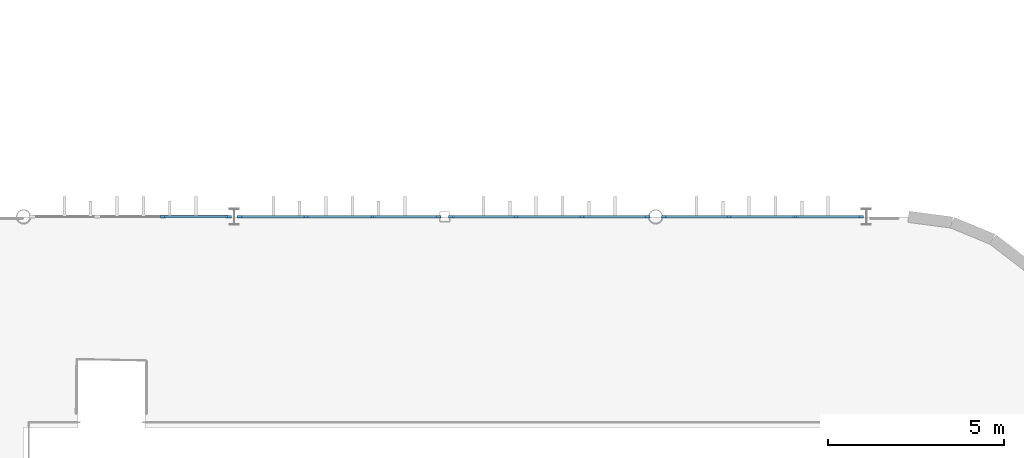
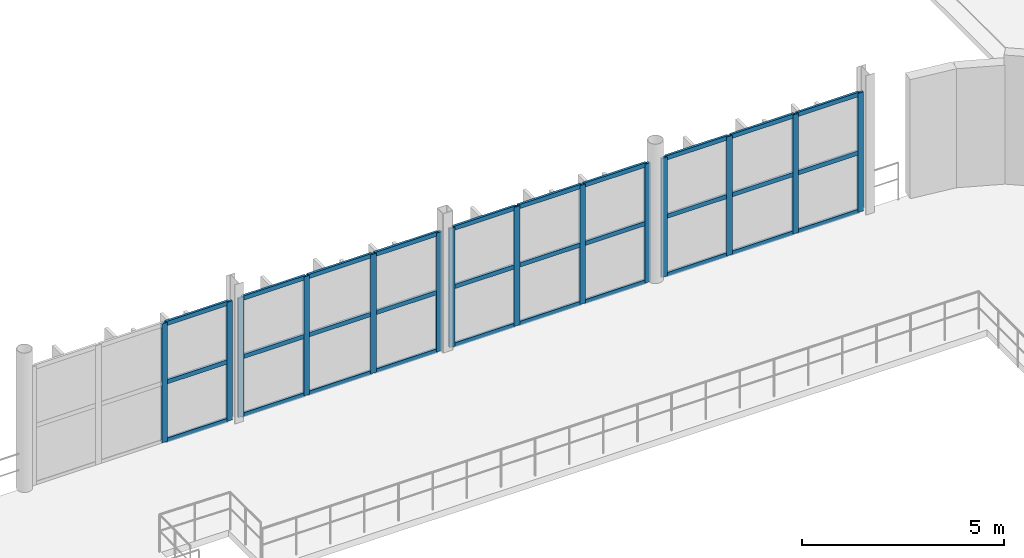
# One storey, part 43 of 83: 44 members, 4 elements without a shape of their own.
"""IFC4 building model written with IfcOpenShell, lengths in metres."""

from ifc_helpers import new_model, si_unit, direction, frame, origin, origin_2d, place, context, subcontext, project, spatial, rectangle, extrude, material, material_profile, profile_set, type_object, element, aggregate, save


model = new_model("IFC4")

# Units and contexts
model_context = context("Model", 3, precision=1e-05, world=origin(), true_north=direction((0.0, 1.0)))
body_context = subcontext(model_context, "Body", "Model", "MODEL_VIEW")
ifc_project = project(units=[si_unit("LENGTHUNIT", "METRE"), si_unit("AREAUNIT", "SQUARE_METRE"), si_unit("VOLUMEUNIT", "CUBIC_METRE"), si_unit("PLANEANGLEUNIT", "RADIAN"), si_unit("MASSUNIT", "GRAM", prefix="KILO")], contexts=[model_context])

# Site, building, storey
site_placement = place(None, origin())
site = spatial("IfcSite", under=ifc_project, at=site_placement, CompositionType="ELEMENT")
building_placement = place(site_placement, origin())
building = spatial("IfcBuilding", under=site, at=building_placement, Name="Varnakota Square Police Headquarters", CompositionType="ELEMENT")
storey_placement = place(building_placement, frame((0.0, 0.0, 18.0)))
storey = spatial("IfcBuildingStorey", under=building, at=storey_placement, Name="L04", CompositionType="ELEMENT", Elevation=18.0)

# Curtain wall, members
ifc_material_1 = material(Name="Anodised Aluminium Framing", Category="aluminium")
curtain_wall_type = type_object("IfcCurtainWallType", Name="CW-SYS-C", PredefinedType="NOTDEFINED", material=ifc_material_1)
curtain_wall_1_placement = place(storey_placement, origin())
curtain_wall_1 = element("IfcCurtainWall", 1, at=curtain_wall_1_placement, inside=storey, type_object=curtain_wall_type, Name="Unitised curtain wall CWG-L04-259", PredefinedType="NOTDEFINED")
ifc_material_2 = material(Name="Anodised Aluminium 6063-T6", Category="aluminium")
ifc_material_profile_1 = material_profile(ifc_material_2, rectangle(XDim=0.06494140625, YDim=0.159912109375, at=origin_2d()), Name="ALU MULLION 65x160")
ifc_profile_set_1 = profile_set([ifc_material_profile_1], Name="Anodised Aluminium 6063-T6")
member_type_1 = type_object("IfcMemberType", Name="CWM-150", PredefinedType="MULLION", material=ifc_profile_set_1)
member_1_placement = place(storey_placement, frame((69.982666015625, 99.0, 0.0), z_axis=(0.0, 0.0, 1.0), x_axis=(0.0, 1.0, 0.0)))
member_1 = element("IfcMember", 2, at=member_1_placement, type_object=member_type_1, Name="CWG-L04-259 mullion 3", PredefinedType="MULLION", context=body_context, shape_type="SweptSolid", body=[
    extrude(rectangle(XDim=0.06494140625, YDim=0.159912109375, at=origin_2d()), origin(), (0.0, 0.0, 1.0), 3.590087890625),
])
member_2_placement = place(storey_placement, frame((71.83740234375, 99.0, 0.0), z_axis=(0.0, 0.0, 1.0), x_axis=(0.0, 1.0, 0.0)))
member_2 = element("IfcMember", 3, at=member_2_placement, type_object=member_type_1, Name="CWG-L04-259 mullion 4", PredefinedType="MULLION", context=body_context, shape_type="SweptSolid", body=[
    extrude(rectangle(XDim=0.06494140625, YDim=0.159912109375, at=origin_2d()), origin(), (0.0, 0.0, 1.0), 3.590087890625),
])

curtain_wall_2_placement = place(storey_placement, origin())
curtain_wall_2 = element("IfcCurtainWall", 4, at=curtain_wall_2_placement, inside=storey, type_object=curtain_wall_type, Name="Unitised curtain wall CWG-L04-260", PredefinedType="NOTDEFINED")
member_3_placement = place(storey_placement, frame((72.16259765625, 99.0, 0.0), z_axis=(0.0, 0.0, 1.0), x_axis=(0.0, 1.0, 0.0)))
member_3 = element("IfcMember", 5, at=member_3_placement, type_object=member_type_1, Name="CWG-L04-260 mullion 1", PredefinedType="MULLION", context=body_context, shape_type="SweptSolid", body=[
    extrude(rectangle(XDim=0.06494140625, YDim=0.159912109375, at=origin_2d()), origin(), (0.0, 0.0, 1.0), 3.590087890625),
])
member_4_placement = place(storey_placement, frame((74.034912109375, 99.0, 0.0), z_axis=(0.0, 0.0, 1.0), x_axis=(0.0, 1.0, 0.0)))
member_4 = element("IfcMember", 6, at=member_4_placement, type_object=member_type_1, Name="CWG-L04-260 mullion 2", PredefinedType="MULLION", context=body_context, shape_type="SweptSolid", body=[
    extrude(rectangle(XDim=0.06494140625, YDim=0.159912109375, at=origin_2d()), origin(), (0.0, 0.0, 1.0), 3.590087890625),
])
member_5_placement = place(storey_placement, frame((75.93994140625, 99.0, 0.0), z_axis=(0.0, 0.0, 1.0), x_axis=(0.0, 1.0, 0.0)))
member_5 = element("IfcMember", 7, at=member_5_placement, type_object=member_type_1, Name="CWG-L04-260 mullion 3", PredefinedType="MULLION", context=body_context, shape_type="SweptSolid", body=[
    extrude(rectangle(XDim=0.06494140625, YDim=0.159912109375, at=origin_2d()), origin(), (0.0, 0.0, 1.0), 3.590087890625),
])
member_6_placement = place(storey_placement, frame((77.8125, 99.0, 0.0), z_axis=(0.0, 0.0, 1.0), x_axis=(0.0, 1.0, 0.0)))
member_6 = element("IfcMember", 8, at=member_6_placement, type_object=member_type_1, Name="CWG-L04-260 mullion 4", PredefinedType="MULLION", context=body_context, shape_type="SweptSolid", body=[
    extrude(rectangle(XDim=0.06494140625, YDim=0.159912109375, at=origin_2d()), origin(), (0.0, 0.0, 1.0), 3.590087890625),
])

curtain_wall_3_placement = place(storey_placement, origin())
curtain_wall_3 = element("IfcCurtainWall", 9, at=curtain_wall_3_placement, inside=storey, type_object=curtain_wall_type, Name="Unitised curtain wall CWG-L04-261", PredefinedType="NOTDEFINED")
member_7_placement = place(storey_placement, frame((78.1875, 99.0, 0.0), z_axis=(0.0, 0.0, 1.0), x_axis=(0.0, 1.0, 0.0)))
member_7 = element("IfcMember", 10, at=member_7_placement, type_object=member_type_1, Name="CWG-L04-261 mullion 1", PredefinedType="MULLION", context=body_context, shape_type="SweptSolid", body=[
    extrude(rectangle(XDim=0.06494140625, YDim=0.159912109375, at=origin_2d()), origin(), (0.0, 0.0, 1.0), 3.590087890625),
])
member_8_placement = place(storey_placement, frame((80.033935546875, 99.0, 0.0), z_axis=(0.0, 0.0, 1.0), x_axis=(0.0, 1.0, 0.0)))
member_8 = element("IfcMember", 11, at=member_8_placement, type_object=member_type_1, Name="CWG-L04-261 mullion 2", PredefinedType="MULLION", context=body_context, shape_type="SweptSolid", body=[
    extrude(rectangle(XDim=0.06494140625, YDim=0.159912109375, at=origin_2d()), origin(), (0.0, 0.0, 1.0), 3.590087890625),
])
member_9_placement = place(storey_placement, frame((81.912841796875, 99.0, 0.0), z_axis=(0.0, 0.0, 1.0), x_axis=(0.0, 1.0, 0.0)))
member_9 = element("IfcMember", 12, at=member_9_placement, type_object=member_type_1, Name="CWG-L04-261 mullion 3", PredefinedType="MULLION", context=body_context, shape_type="SweptSolid", body=[
    extrude(rectangle(XDim=0.06494140625, YDim=0.159912109375, at=origin_2d()), origin(), (0.0, 0.0, 1.0), 3.590087890625),
])
member_10_placement = place(storey_placement, frame((83.75927734375, 99.0, 0.0), z_axis=(0.0, 0.0, 1.0), x_axis=(0.0, 1.0, 0.0)))
member_10 = element("IfcMember", 13, at=member_10_placement, type_object=member_type_1, Name="CWG-L04-261 mullion 4", PredefinedType="MULLION", context=body_context, shape_type="SweptSolid", body=[
    extrude(rectangle(XDim=0.06494140625, YDim=0.159912109375, at=origin_2d()), origin(), (0.0, 0.0, 1.0), 3.590087890625),
])

curtain_wall_4_placement = place(storey_placement, origin())
curtain_wall_4 = element("IfcCurtainWall", 14, at=curtain_wall_4_placement, inside=storey, type_object=curtain_wall_type, Name="Unitised curtain wall CWG-L04-262", PredefinedType="NOTDEFINED")
member_11_placement = place(storey_placement, frame((84.24072265625, 99.0, 0.0), z_axis=(0.0, 0.0, 1.0), x_axis=(0.0, 1.0, 0.0)))
member_11 = element("IfcMember", 15, at=member_11_placement, type_object=member_type_1, Name="CWG-L04-262 mullion 1", PredefinedType="MULLION", context=body_context, shape_type="SweptSolid", body=[
    extrude(rectangle(XDim=0.06494140625, YDim=0.159912109375, at=origin_2d()), origin(), (0.0, 0.0, 1.0), 3.590087890625),
])
member_12_placement = place(storey_placement, frame((86.095458984375, 99.0, 0.0), z_axis=(0.0, 0.0, 1.0), x_axis=(0.0, 1.0, 0.0)))
member_12 = element("IfcMember", 16, at=member_12_placement, type_object=member_type_1, Name="CWG-L04-262 mullion 2", PredefinedType="MULLION", context=body_context, shape_type="SweptSolid", body=[
    extrude(rectangle(XDim=0.06494140625, YDim=0.159912109375, at=origin_2d()), origin(), (0.0, 0.0, 1.0), 3.590087890625),
])
member_13_placement = place(storey_placement, frame((87.982666015625, 99.0, 0.0), z_axis=(0.0, 0.0, 1.0), x_axis=(0.0, 1.0, 0.0)))
member_13 = element("IfcMember", 17, at=member_13_placement, type_object=member_type_1, Name="CWG-L04-262 mullion 3", PredefinedType="MULLION", context=body_context, shape_type="SweptSolid", body=[
    extrude(rectangle(XDim=0.06494140625, YDim=0.159912109375, at=origin_2d()), origin(), (0.0, 0.0, 1.0), 3.590087890625),
])
member_14_placement = place(storey_placement, frame((89.83740234375, 99.0, 0.0), z_axis=(0.0, 0.0, 1.0), x_axis=(0.0, 1.0, 0.0)))
member_14 = element("IfcMember", 18, at=member_14_placement, type_object=member_type_1, Name="CWG-L04-262 mullion 4", PredefinedType="MULLION", context=body_context, shape_type="SweptSolid", body=[
    extrude(rectangle(XDim=0.06494140625, YDim=0.159912109375, at=origin_2d()), origin(), (0.0, 0.0, 1.0), 3.590087890625),
])

# Member
ifc_material_profile_2 = material_profile(ifc_material_2, rectangle(XDim=0.06494140625, YDim=0.1298828125, at=origin_2d()), Name="ALU TRANSOM 65x130")
ifc_profile_set_2 = profile_set([ifc_material_profile_2], Name="Anodised Aluminium 6063-T6")
member_type_2 = type_object("IfcMemberType", Name="CWT-120", PredefinedType="USERDEFINED", material=ifc_profile_set_2)
member_15_placement = place(storey_placement, frame((70.01513671875, 99.0, 0.032470703125), z_axis=(1.0, 0.0, 0.0), x_axis=(0.0, 1.0, 0.0)))
member_15 = element("IfcMember", 19, at=member_15_placement, type_object=member_type_2, Name="CWG-L04-259 transom 3.1", ObjectType="TRANSOM", PredefinedType="USERDEFINED", context=body_context, shape_type="SweptSolid", body=[
    extrude(rectangle(XDim=0.06494140625, YDim=0.1298828125, at=origin_2d()), origin(), (0.0, 0.0, 1.0), 1.789794921875),
])

member_16_placement = place(storey_placement, frame((70.01513671875, 99.0, 1.794921875), z_axis=(1.0, 0.0, 0.0), x_axis=(0.0, 1.0, 0.0)))
member_16 = element("IfcMember", 20, at=member_16_placement, type_object=member_type_2, Name="CWG-L04-259 transom 3.2", ObjectType="TRANSOM", PredefinedType="USERDEFINED", context=body_context, shape_type="SweptSolid", body=[
    extrude(rectangle(XDim=0.06494140625, YDim=0.1298828125, at=origin_2d()), origin(), (0.0, 0.0, 1.0), 1.789794921875),
])

member_17_placement = place(storey_placement, frame((70.01513671875, 99.0, 3.5576171875), z_axis=(1.0, 0.0, 0.0), x_axis=(0.0, 1.0, 0.0)))
member_17 = element("IfcMember", 21, at=member_17_placement, type_object=member_type_2, Name="CWG-L04-259 transom 3.3", ObjectType="TRANSOM", PredefinedType="USERDEFINED", context=body_context, shape_type="SweptSolid", body=[
    extrude(rectangle(XDim=0.06494140625, YDim=0.1298828125, at=origin_2d()), origin(), (0.0, 0.0, 1.0), 1.789794921875),
])

aggregate(curtain_wall_1, [member_1, member_2, member_15, member_16, member_17])

member_18_placement = place(storey_placement, frame((72.195068359375, 99.0, 0.032470703125), z_axis=(1.0, 0.0, 0.0), x_axis=(0.0, 1.0, 0.0)))
member_18 = element("IfcMember", 22, at=member_18_placement, type_object=member_type_2, Name="CWG-L04-260 transom 1.1", ObjectType="TRANSOM", PredefinedType="USERDEFINED", context=body_context, shape_type="SweptSolid", body=[
    extrude(rectangle(XDim=0.06494140625, YDim=0.1298828125, at=origin_2d()), origin(), (0.0, 0.0, 1.0), 1.807373046875),
])

member_19_placement = place(storey_placement, frame((72.195068359375, 99.0, 1.794921875), z_axis=(1.0, 0.0, 0.0), x_axis=(0.0, 1.0, 0.0)))
member_19 = element("IfcMember", 23, at=member_19_placement, type_object=member_type_2, Name="CWG-L04-260 transom 1.2", ObjectType="TRANSOM", PredefinedType="USERDEFINED", context=body_context, shape_type="SweptSolid", body=[
    extrude(rectangle(XDim=0.06494140625, YDim=0.1298828125, at=origin_2d()), origin(), (0.0, 0.0, 1.0), 1.807373046875),
])

member_20_placement = place(storey_placement, frame((72.195068359375, 99.0, 3.5576171875), z_axis=(1.0, 0.0, 0.0), x_axis=(0.0, 1.0, 0.0)))
member_20 = element("IfcMember", 24, at=member_20_placement, type_object=member_type_2, Name="CWG-L04-260 transom 1.3", ObjectType="TRANSOM", PredefinedType="USERDEFINED", context=body_context, shape_type="SweptSolid", body=[
    extrude(rectangle(XDim=0.06494140625, YDim=0.1298828125, at=origin_2d()), origin(), (0.0, 0.0, 1.0), 1.807373046875),
])

member_21_placement = place(storey_placement, frame((74.0673828125, 99.0, 0.032470703125), z_axis=(1.0, 0.0, 0.0), x_axis=(0.0, 1.0, 0.0)))
member_21 = element("IfcMember", 25, at=member_21_placement, type_object=member_type_2, Name="CWG-L04-260 transom 2.1", ObjectType="TRANSOM", PredefinedType="USERDEFINED", context=body_context, shape_type="SweptSolid", body=[
    extrude(rectangle(XDim=0.06494140625, YDim=0.1298828125, at=origin_2d()), origin(), (0.0, 0.0, 1.0), 1.840087890625),
])

member_22_placement = place(storey_placement, frame((74.0673828125, 99.0, 1.794921875), z_axis=(1.0, 0.0, 0.0), x_axis=(0.0, 1.0, 0.0)))
member_22 = element("IfcMember", 26, at=member_22_placement, type_object=member_type_2, Name="CWG-L04-260 transom 2.2", ObjectType="TRANSOM", PredefinedType="USERDEFINED", context=body_context, shape_type="SweptSolid", body=[
    extrude(rectangle(XDim=0.06494140625, YDim=0.1298828125, at=origin_2d()), origin(), (0.0, 0.0, 1.0), 1.840087890625),
])

member_23_placement = place(storey_placement, frame((74.0673828125, 99.0, 3.5576171875), z_axis=(1.0, 0.0, 0.0), x_axis=(0.0, 1.0, 0.0)))
member_23 = element("IfcMember", 27, at=member_23_placement, type_object=member_type_2, Name="CWG-L04-260 transom 2.3", ObjectType="TRANSOM", PredefinedType="USERDEFINED", context=body_context, shape_type="SweptSolid", body=[
    extrude(rectangle(XDim=0.06494140625, YDim=0.1298828125, at=origin_2d()), origin(), (0.0, 0.0, 1.0), 1.840087890625),
])

member_24_placement = place(storey_placement, frame((75.972412109375, 99.0, 0.032470703125), z_axis=(1.0, 0.0, 0.0), x_axis=(0.0, 1.0, 0.0)))
member_24 = element("IfcMember", 28, at=member_24_placement, type_object=member_type_2, Name="CWG-L04-260 transom 3.1", ObjectType="TRANSOM", PredefinedType="USERDEFINED", context=body_context, shape_type="SweptSolid", body=[
    extrude(rectangle(XDim=0.06494140625, YDim=0.1298828125, at=origin_2d()), origin(), (0.0, 0.0, 1.0), 1.8076171875),
])

member_25_placement = place(storey_placement, frame((75.972412109375, 99.0, 1.794921875), z_axis=(1.0, 0.0, 0.0), x_axis=(0.0, 1.0, 0.0)))
member_25 = element("IfcMember", 29, at=member_25_placement, type_object=member_type_2, Name="CWG-L04-260 transom 3.2", ObjectType="TRANSOM", PredefinedType="USERDEFINED", context=body_context, shape_type="SweptSolid", body=[
    extrude(rectangle(XDim=0.06494140625, YDim=0.1298828125, at=origin_2d()), origin(), (0.0, 0.0, 1.0), 1.8076171875),
])

member_26_placement = place(storey_placement, frame((75.972412109375, 99.0, 3.5576171875), z_axis=(1.0, 0.0, 0.0), x_axis=(0.0, 1.0, 0.0)))
member_26 = element("IfcMember", 30, at=member_26_placement, type_object=member_type_2, Name="CWG-L04-260 transom 3.3", ObjectType="TRANSOM", PredefinedType="USERDEFINED", context=body_context, shape_type="SweptSolid", body=[
    extrude(rectangle(XDim=0.06494140625, YDim=0.1298828125, at=origin_2d()), origin(), (0.0, 0.0, 1.0), 1.8076171875),
])

aggregate(curtain_wall_2, [member_3, member_4, member_5, member_6, member_18, member_19, member_20, member_21, member_22, member_23, member_24, member_25, member_26])

member_27_placement = place(storey_placement, frame((78.219970703125, 99.0, 0.032470703125), z_axis=(1.0, 0.0, 0.0), x_axis=(0.0, 1.0, 0.0)))
member_27 = element("IfcMember", 31, at=member_27_placement, type_object=member_type_2, Name="CWG-L04-261 transom 1.1", ObjectType="TRANSOM", PredefinedType="USERDEFINED", context=body_context, shape_type="SweptSolid", body=[
    extrude(rectangle(XDim=0.06494140625, YDim=0.1298828125, at=origin_2d()), origin(), (0.0, 0.0, 1.0), 1.781494140625),
])

member_28_placement = place(storey_placement, frame((78.219970703125, 99.0, 1.794921875), z_axis=(1.0, 0.0, 0.0), x_axis=(0.0, 1.0, 0.0)))
member_28 = element("IfcMember", 32, at=member_28_placement, type_object=member_type_2, Name="CWG-L04-261 transom 1.2", ObjectType="TRANSOM", PredefinedType="USERDEFINED", context=body_context, shape_type="SweptSolid", body=[
    extrude(rectangle(XDim=0.06494140625, YDim=0.1298828125, at=origin_2d()), origin(), (0.0, 0.0, 1.0), 1.781494140625),
])

member_29_placement = place(storey_placement, frame((78.219970703125, 99.0, 3.5576171875), z_axis=(1.0, 0.0, 0.0), x_axis=(0.0, 1.0, 0.0)))
member_29 = element("IfcMember", 33, at=member_29_placement, type_object=member_type_2, Name="CWG-L04-261 transom 1.3", ObjectType="TRANSOM", PredefinedType="USERDEFINED", context=body_context, shape_type="SweptSolid", body=[
    extrude(rectangle(XDim=0.06494140625, YDim=0.1298828125, at=origin_2d()), origin(), (0.0, 0.0, 1.0), 1.781494140625),
])

member_30_placement = place(storey_placement, frame((80.06640625, 99.0, 0.032470703125), z_axis=(1.0, 0.0, 0.0), x_axis=(0.0, 1.0, 0.0)))
member_30 = element("IfcMember", 34, at=member_30_placement, type_object=member_type_2, Name="CWG-L04-261 transom 2.1", ObjectType="TRANSOM", PredefinedType="USERDEFINED", context=body_context, shape_type="SweptSolid", body=[
    extrude(rectangle(XDim=0.06494140625, YDim=0.1298828125, at=origin_2d()), origin(), (0.0, 0.0, 1.0), 1.81396484375),
])

member_31_placement = place(storey_placement, frame((80.06640625, 99.0, 1.794921875), z_axis=(1.0, 0.0, 0.0), x_axis=(0.0, 1.0, 0.0)))
member_31 = element("IfcMember", 35, at=member_31_placement, type_object=member_type_2, Name="CWG-L04-261 transom 2.2", ObjectType="TRANSOM", PredefinedType="USERDEFINED", context=body_context, shape_type="SweptSolid", body=[
    extrude(rectangle(XDim=0.06494140625, YDim=0.1298828125, at=origin_2d()), origin(), (0.0, 0.0, 1.0), 1.81396484375),
])

member_32_placement = place(storey_placement, frame((80.06640625, 99.0, 3.5576171875), z_axis=(1.0, 0.0, 0.0), x_axis=(0.0, 1.0, 0.0)))
member_32 = element("IfcMember", 36, at=member_32_placement, type_object=member_type_2, Name="CWG-L04-261 transom 2.3", ObjectType="TRANSOM", PredefinedType="USERDEFINED", context=body_context, shape_type="SweptSolid", body=[
    extrude(rectangle(XDim=0.06494140625, YDim=0.1298828125, at=origin_2d()), origin(), (0.0, 0.0, 1.0), 1.81396484375),
])

member_33_placement = place(storey_placement, frame((81.9453125, 99.0, 0.032470703125), z_axis=(1.0, 0.0, 0.0), x_axis=(0.0, 1.0, 0.0)))
member_33 = element("IfcMember", 37, at=member_33_placement, type_object=member_type_2, Name="CWG-L04-261 transom 3.1", ObjectType="TRANSOM", PredefinedType="USERDEFINED", context=body_context, shape_type="SweptSolid", body=[
    extrude(rectangle(XDim=0.06494140625, YDim=0.1298828125, at=origin_2d()), origin(), (0.0, 0.0, 1.0), 1.781494140625),
])

member_34_placement = place(storey_placement, frame((81.9453125, 99.0, 1.794921875), z_axis=(1.0, 0.0, 0.0), x_axis=(0.0, 1.0, 0.0)))
member_34 = element("IfcMember", 38, at=member_34_placement, type_object=member_type_2, Name="CWG-L04-261 transom 3.2", ObjectType="TRANSOM", PredefinedType="USERDEFINED", context=body_context, shape_type="SweptSolid", body=[
    extrude(rectangle(XDim=0.06494140625, YDim=0.1298828125, at=origin_2d()), origin(), (0.0, 0.0, 1.0), 1.781494140625),
])

member_35_placement = place(storey_placement, frame((81.9453125, 99.0, 3.5576171875), z_axis=(1.0, 0.0, 0.0), x_axis=(0.0, 1.0, 0.0)))
member_35 = element("IfcMember", 39, at=member_35_placement, type_object=member_type_2, Name="CWG-L04-261 transom 3.3", ObjectType="TRANSOM", PredefinedType="USERDEFINED", context=body_context, shape_type="SweptSolid", body=[
    extrude(rectangle(XDim=0.06494140625, YDim=0.1298828125, at=origin_2d()), origin(), (0.0, 0.0, 1.0), 1.781494140625),
])

aggregate(curtain_wall_3, [member_7, member_8, member_9, member_10, member_27, member_28, member_29, member_30, member_31, member_32, member_33, member_34, member_35])

member_36_placement = place(storey_placement, frame((84.273193359375, 99.0, 0.032470703125), z_axis=(1.0, 0.0, 0.0), x_axis=(0.0, 1.0, 0.0)))
member_36 = element("IfcMember", 40, at=member_36_placement, type_object=member_type_2, Name="CWG-L04-262 transom 1.1", ObjectType="TRANSOM", PredefinedType="USERDEFINED", context=body_context, shape_type="SweptSolid", body=[
    extrude(rectangle(XDim=0.06494140625, YDim=0.1298828125, at=origin_2d()), origin(), (0.0, 0.0, 1.0), 1.789794921875),
])

member_37_placement = place(storey_placement, frame((84.273193359375, 99.0, 1.794921875), z_axis=(1.0, 0.0, 0.0), x_axis=(0.0, 1.0, 0.0)))
member_37 = element("IfcMember", 41, at=member_37_placement, type_object=member_type_2, Name="CWG-L04-262 transom 1.2", ObjectType="TRANSOM", PredefinedType="USERDEFINED", context=body_context, shape_type="SweptSolid", body=[
    extrude(rectangle(XDim=0.06494140625, YDim=0.1298828125, at=origin_2d()), origin(), (0.0, 0.0, 1.0), 1.789794921875),
])

member_38_placement = place(storey_placement, frame((84.273193359375, 99.0, 3.5576171875), z_axis=(1.0, 0.0, 0.0), x_axis=(0.0, 1.0, 0.0)))
member_38 = element("IfcMember", 42, at=member_38_placement, type_object=member_type_2, Name="CWG-L04-262 transom 1.3", ObjectType="TRANSOM", PredefinedType="USERDEFINED", context=body_context, shape_type="SweptSolid", body=[
    extrude(rectangle(XDim=0.06494140625, YDim=0.1298828125, at=origin_2d()), origin(), (0.0, 0.0, 1.0), 1.789794921875),
])

member_39_placement = place(storey_placement, frame((86.1279296875, 99.0, 0.032470703125), z_axis=(1.0, 0.0, 0.0), x_axis=(0.0, 1.0, 0.0)))
member_39 = element("IfcMember", 43, at=member_39_placement, type_object=member_type_2, Name="CWG-L04-262 transom 2.1", ObjectType="TRANSOM", PredefinedType="USERDEFINED", context=body_context, shape_type="SweptSolid", body=[
    extrude(rectangle(XDim=0.06494140625, YDim=0.1298828125, at=origin_2d()), origin(), (0.0, 0.0, 1.0), 1.822265625),
])

member_40_placement = place(storey_placement, frame((86.1279296875, 99.0, 1.794921875), z_axis=(1.0, 0.0, 0.0), x_axis=(0.0, 1.0, 0.0)))
member_40 = element("IfcMember", 44, at=member_40_placement, type_object=member_type_2, Name="CWG-L04-262 transom 2.2", ObjectType="TRANSOM", PredefinedType="USERDEFINED", context=body_context, shape_type="SweptSolid", body=[
    extrude(rectangle(XDim=0.06494140625, YDim=0.1298828125, at=origin_2d()), origin(), (0.0, 0.0, 1.0), 1.822265625),
])

member_41_placement = place(storey_placement, frame((86.1279296875, 99.0, 3.5576171875), z_axis=(1.0, 0.0, 0.0), x_axis=(0.0, 1.0, 0.0)))
member_41 = element("IfcMember", 45, at=member_41_placement, type_object=member_type_2, Name="CWG-L04-262 transom 2.3", ObjectType="TRANSOM", PredefinedType="USERDEFINED", context=body_context, shape_type="SweptSolid", body=[
    extrude(rectangle(XDim=0.06494140625, YDim=0.1298828125, at=origin_2d()), origin(), (0.0, 0.0, 1.0), 1.822265625),
])

member_42_placement = place(storey_placement, frame((88.01513671875, 99.0, 0.032470703125), z_axis=(1.0, 0.0, 0.0), x_axis=(0.0, 1.0, 0.0)))
member_42 = element("IfcMember", 46, at=member_42_placement, type_object=member_type_2, Name="CWG-L04-262 transom 3.1", ObjectType="TRANSOM", PredefinedType="USERDEFINED", context=body_context, shape_type="SweptSolid", body=[
    extrude(rectangle(XDim=0.06494140625, YDim=0.1298828125, at=origin_2d()), origin(), (0.0, 0.0, 1.0), 1.789794921875),
])

member_43_placement = place(storey_placement, frame((88.01513671875, 99.0, 1.794921875), z_axis=(1.0, 0.0, 0.0), x_axis=(0.0, 1.0, 0.0)))
member_43 = element("IfcMember", 47, at=member_43_placement, type_object=member_type_2, Name="CWG-L04-262 transom 3.2", ObjectType="TRANSOM", PredefinedType="USERDEFINED", context=body_context, shape_type="SweptSolid", body=[
    extrude(rectangle(XDim=0.06494140625, YDim=0.1298828125, at=origin_2d()), origin(), (0.0, 0.0, 1.0), 1.789794921875),
])

member_44_placement = place(storey_placement, frame((88.01513671875, 99.0, 3.5576171875), z_axis=(1.0, 0.0, 0.0), x_axis=(0.0, 1.0, 0.0)))
member_44 = element("IfcMember", 48, at=member_44_placement, type_object=member_type_2, Name="CWG-L04-262 transom 3.3", ObjectType="TRANSOM", PredefinedType="USERDEFINED", context=body_context, shape_type="SweptSolid", body=[
    extrude(rectangle(XDim=0.06494140625, YDim=0.1298828125, at=origin_2d()), origin(), (0.0, 0.0, 1.0), 1.789794921875),
])

aggregate(curtain_wall_4, [member_11, member_12, member_13, member_14, member_36, member_37, member_38, member_39, member_40, member_41, member_42, member_43, member_44])

save(model, "model.ifc")
